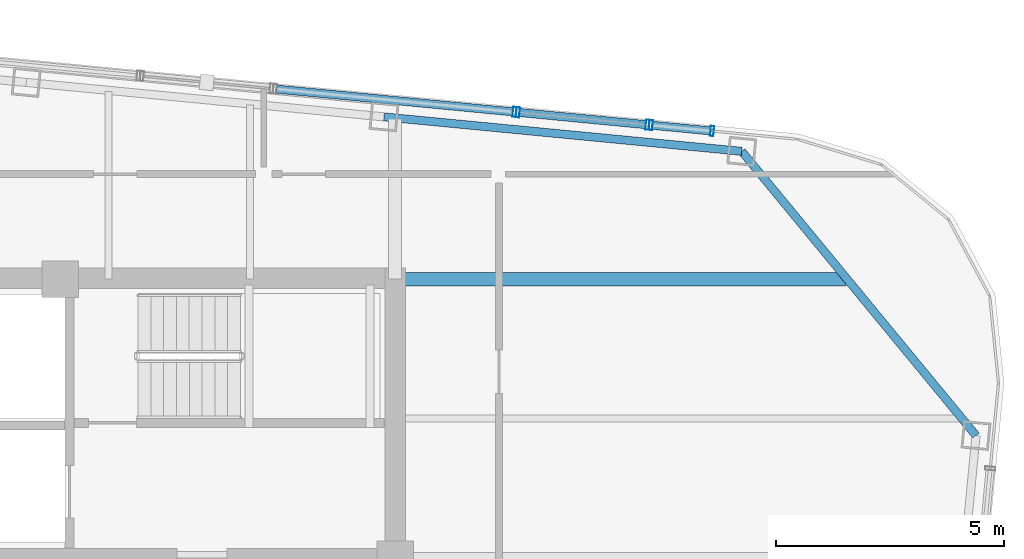
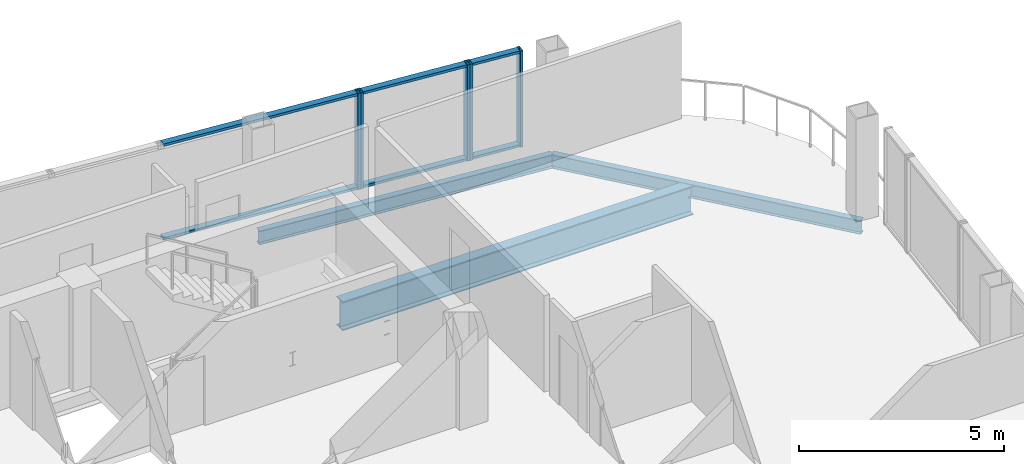
# One storey, part 15 of 23: 11 members, 3 beams, 3 elements without a shape of their own.
"""IFC4 building model written with IfcOpenShell, lengths in metres."""

from ifc_helpers import new_model, si_unit, direction, frame, origin, origin_2d, place, context, subcontext, project, spatial, hollow_rectangle, i_section, extrude, material, layer, layer_set, material_profile, profile_set, type_object, element, aggregate, save


model = new_model("IFC4")

# Units and contexts
model_context = context("Model", 3, precision=1e-05, world=origin(), true_north=direction((0.0, 1.0)))
body_context = subcontext(model_context, "Body", "Model", "MODEL_VIEW")
ifc_project = project(units=[si_unit("LENGTHUNIT", "METRE"), si_unit("AREAUNIT", "SQUARE_METRE"), si_unit("VOLUMEUNIT", "CUBIC_METRE"), si_unit("PLANEANGLEUNIT", "RADIAN"), si_unit("MASSUNIT", "GRAM", prefix="KILO")], contexts=[model_context])

# Site, building, storey
site_placement = place(None, origin())
site = spatial("IfcSite", under=ifc_project, at=site_placement, CompositionType="ELEMENT")
building_placement = place(site_placement, origin())
building = spatial("IfcBuilding", under=site, at=building_placement, Name="Qhalaya Broadcast Tower", CompositionType="ELEMENT")
storey_placement = place(building_placement, frame((0.0, 0.0, 261.14990234375)))
storey = spatial("IfcBuildingStorey", under=building, at=storey_placement, Name="L77", CompositionType="ELEMENT", Elevation=261.14990234375)

# Curtain wall, members
ifc_material_1 = material(Name="Fired Architectural Terracotta", Category="masonry")
ifc_layer_1 = layer(ifc_material_1, 0.219970703125, Name="Fired Architectural Terracotta")
ifc_layer_set_1 = layer_set([ifc_layer_1], Name="Fired Architectural Terracotta")
curtain_wall_type_1 = type_object("IfcCurtainWallType", Name="Block-Cap Unitised Terracotta Spandrel Wall CW-07", PredefinedType="NOTDEFINED", material=ifc_layer_set_1)
curtain_wall_1_placement = place(storey_placement, origin())
curtain_wall_1 = element("IfcCurtainWall", 1, at=curtain_wall_1_placement, inside=storey, type_object=curtain_wall_type_1, Name="L77 Unitised Curtain Wall L77-CW-N1", PredefinedType="NOTDEFINED")
ifc_material_2 = material(Name="Anodised Aluminium 6063-T6", Category="aluminium")
ifc_material_profile_1 = material_profile(ifc_material_2, hollow_rectangle(XDim=0.074951171875, YDim=0.219970703125, WallThickness=0.00390625, at=origin_2d()), Name="ALU-MUL 75x220x4")
ifc_profile_set_1 = profile_set([ifc_material_profile_1], Name="Anodised Aluminium 6063-T6")
member_type_1 = type_object("IfcMemberType", Name="Unitised Curtain-Wall Mullion M01", PredefinedType="MULLION", material=ifc_profile_set_1)
member_1_placement = place(storey_placement, frame((16.315185546875, 13.192626953125, 0.0), z_axis=(0.0, 0.0, 1.0), x_axis=(-0.995396007008, 0.095847739846, 0.0)))
member_1 = element("IfcMember", 2, at=member_1_placement, type_object=member_type_1, Name="CW-07 mullion 1", PredefinedType="MULLION", context=body_context, shape_type="SweptSolid", body=[
    extrude(hollow_rectangle(XDim=0.074951171875, YDim=0.219970703125, WallThickness=0.00390625, at=origin_2d()), origin(), (0.0, 0.0, 1.0), 2.860107421875),
])
member_2_placement = place(storey_placement, frame((14.97412109375, 13.32177734375, 0.0), z_axis=(0.0, 0.0, 1.0), x_axis=(-0.995396007008, 0.095847739846, 0.0)))
member_2 = element("IfcMember", 3, at=member_2_placement, type_object=member_type_1, Name="CW-07 mullion 2", PredefinedType="MULLION", context=body_context, shape_type="SweptSolid", body=[
    extrude(hollow_rectangle(XDim=0.074951171875, YDim=0.219970703125, WallThickness=0.00390625, at=origin_2d()), origin(), (0.0, 0.0, 1.0), 2.860107421875),
])

ifc_material_3 = material(Name="Solar-Control Low-E Triple Glazing", Category="glass")
ifc_layer_2 = layer(ifc_material_3, 0.219970703125, Name="Solar-Control Low-E Triple Glazing")
ifc_layer_set_2 = layer_set([ifc_layer_2], Name="Solar-Control Low-E Triple Glazing")
curtain_wall_type_2 = type_object("IfcCurtainWallType", Name="High-Altitude Upper-Shaft Triple Low-E Curtain Wall CW-04", PredefinedType="NOTDEFINED", material=ifc_layer_set_2)
curtain_wall_2_placement = place(storey_placement, origin())
curtain_wall_2 = element("IfcCurtainWall", 4, at=curtain_wall_2_placement, inside=storey, type_object=curtain_wall_type_2, Name="L77 Unitised Curtain Wall L77-CW-N2", PredefinedType="NOTDEFINED")
member_3_placement = place(storey_placement, frame((14.899658203125, 13.328857421875, 0.0), z_axis=(0.0, 0.0, 1.0), x_axis=(-0.99539466371, 0.095861689211, 0.0)))
member_3 = element("IfcMember", 5, at=member_3_placement, type_object=member_type_1, Name="CW-04 mullion 1", PredefinedType="MULLION", context=body_context, shape_type="SweptSolid", body=[
    extrude(hollow_rectangle(XDim=0.074951171875, YDim=0.219970703125, WallThickness=0.00390625, at=origin_2d()), origin(), (0.0, 0.0, 1.0), 2.860107421875),
])
member_4_placement = place(storey_placement, frame((12.064697265625, 13.601806640625, 0.0), z_axis=(0.0, 0.0, 1.0), x_axis=(-0.99539466371, 0.095861689211, 0.0)))
member_4 = element("IfcMember", 6, at=member_4_placement, type_object=member_type_1, Name="CW-04 mullion 2", PredefinedType="MULLION", context=body_context, shape_type="SweptSolid", body=[
    extrude(hollow_rectangle(XDim=0.074951171875, YDim=0.219970703125, WallThickness=0.00390625, at=origin_2d()), origin(), (0.0, 0.0, 1.0), 2.860107421875),
])

# Curtain wall, member
curtain_wall_3_placement = place(storey_placement, origin())
curtain_wall_3 = element("IfcCurtainWall", 7, at=curtain_wall_3_placement, inside=storey, type_object=curtain_wall_type_1, Name="L77 Unitised Curtain Wall L77-CW-N3", PredefinedType="NOTDEFINED")
member_5_placement = place(storey_placement, frame((11.989990234375, 13.609130859375, 0.0), z_axis=(0.0, 0.0, 1.0), x_axis=(-0.995396263968, 0.095845071223, 0.0)))
member_5 = element("IfcMember", 8, at=member_5_placement, type_object=member_type_1, Name="CW-07 mullion 1", PredefinedType="MULLION", context=body_context, shape_type="SweptSolid", body=[
    extrude(hollow_rectangle(XDim=0.074951171875, YDim=0.219970703125, WallThickness=0.00390625, at=origin_2d()), origin(), (0.0, 0.0, 1.0), 2.860107421875),
])

# Member
ifc_material_profile_2 = material_profile(ifc_material_2, hollow_rectangle(XDim=0.074951171875, YDim=0.179931640625, WallThickness=0.00390625, at=origin_2d()), Name="ALU-TRN 75x180x4")
ifc_profile_set_2 = profile_set([ifc_material_profile_2], Name="Anodised Aluminium 6063-T6")
member_type_2 = type_object("IfcMemberType", Name="Unitised Curtain-Wall Transom T01", PredefinedType="USERDEFINED", material=ifc_profile_set_2)
member_6_placement = place(storey_placement, frame((16.27783203125, 13.1962890625, 0.03759765625), z_axis=(-0.995404457155, 0.095759942957, 0.0), x_axis=(0.0, 0.0, 1.0)))
member_6 = element("IfcMember", 9, at=member_6_placement, type_object=member_type_2, Name="CW-07 transom 1.1", ObjectType="TRANSOM", PredefinedType="USERDEFINED", context=body_context, shape_type="SweptSolid", body=[
    extrude(hollow_rectangle(XDim=0.074951171875, YDim=0.179931640625, WallThickness=0.00390625, at=origin_2d()), origin(), (0.0, 0.0, 1.0), 1.272216796875),
])

member_7_placement = place(storey_placement, frame((16.27783203125, 13.1962890625, 2.822509765625), z_axis=(-0.995404457155, 0.095759942957, 0.0), x_axis=(0.0, 0.0, 1.0)))
member_7 = element("IfcMember", 10, at=member_7_placement, type_object=member_type_2, Name="CW-07 transom 1.2", ObjectType="TRANSOM", PredefinedType="USERDEFINED", context=body_context, shape_type="SweptSolid", body=[
    extrude(hollow_rectangle(XDim=0.074951171875, YDim=0.179931640625, WallThickness=0.00390625, at=origin_2d()), origin(), (0.0, 0.0, 1.0), 1.272216796875),
])

aggregate(curtain_wall_1, [member_1, member_2, member_6, member_7])

member_8_placement = place(storey_placement, frame((14.8623046875, 13.33251953125, 0.03759765625), z_axis=(-0.995393207476, 0.095876809034, 0.0), x_axis=(0.0, 0.0, 1.0)))
member_8 = element("IfcMember", 11, at=member_8_placement, type_object=member_type_2, Name="CW-04 transom 1.1", ObjectType="TRANSOM", PredefinedType="USERDEFINED", context=body_context, shape_type="SweptSolid", body=[
    extrude(hollow_rectangle(XDim=0.074951171875, YDim=0.179931640625, WallThickness=0.00390625, at=origin_2d()), origin(), (0.0, 0.0, 1.0), 2.77294921875),
])

member_9_placement = place(storey_placement, frame((14.8623046875, 13.33251953125, 2.822509765625), z_axis=(-0.995393207476, 0.095876809034, 0.0), x_axis=(0.0, 0.0, 1.0)))
member_9 = element("IfcMember", 12, at=member_9_placement, type_object=member_type_2, Name="CW-04 transom 1.2", ObjectType="TRANSOM", PredefinedType="USERDEFINED", context=body_context, shape_type="SweptSolid", body=[
    extrude(hollow_rectangle(XDim=0.074951171875, YDim=0.179931640625, WallThickness=0.00390625, at=origin_2d()), origin(), (0.0, 0.0, 1.0), 2.77294921875),
])

aggregate(curtain_wall_2, [member_3, member_4, member_8, member_9])

member_10_placement = place(storey_placement, frame((11.95263671875, 13.61279296875, 0.03759765625), z_axis=(-0.995399031506, 0.095816324684, 0.0), x_axis=(0.0, 0.0, 1.0)))
member_10 = element("IfcMember", 13, at=member_10_placement, type_object=member_type_2, Name="CW-07 transom 1.1", ObjectType="TRANSOM", PredefinedType="USERDEFINED", context=body_context, shape_type="SweptSolid", body=[
    extrude(hollow_rectangle(XDim=0.074951171875, YDim=0.179931640625, WallThickness=0.00390625, at=origin_2d()), origin(), (0.0, 0.0, 1.0), 5.19287109375),
])

member_11_placement = place(storey_placement, frame((11.95263671875, 13.61279296875, 2.822509765625), z_axis=(-0.995399031506, 0.095816324684, 0.0), x_axis=(0.0, 0.0, 1.0)))
member_11 = element("IfcMember", 14, at=member_11_placement, type_object=member_type_2, Name="CW-07 transom 1.2", ObjectType="TRANSOM", PredefinedType="USERDEFINED", context=body_context, shape_type="SweptSolid", body=[
    extrude(hollow_rectangle(XDim=0.074951171875, YDim=0.179931640625, WallThickness=0.00390625, at=origin_2d()), origin(), (0.0, 0.0, 1.0), 5.19287109375),
])

aggregate(curtain_wall_3, [member_5, member_10, member_11])

# Beams
ifc_material_4 = material(Name="Structural Steel ASTM A992 Grade 50", Category="steel")
ifc_material_profile_3 = material_profile(ifc_material_4, i_section(OverallWidth=0.2919921875, OverallDepth=0.85888671875, WebThickness=0.01708984375, FlangeThickness=0.031005859375, at=origin_2d()), Name="W33X169")
ifc_profile_set_3 = profile_set([ifc_material_profile_3], Name="Structural Steel ASTM A992 Grade 50")
beam_type_1 = type_object("IfcBeamType", Name="Upper Block Primary Girder PG4", PredefinedType="USERDEFINED", material=ifc_profile_set_3)
beam_1_placement = place(storey_placement, frame((9.375, 9.949951171875, -0.619384765625), z_axis=(1.0, 0.0, 0.0), x_axis=(0.0, 1.0, 0.0)))
element("IfcBeam", 15, at=beam_1_placement, inside=storey, type_object=beam_type_1, Name="L77 PG4 L77-PGYE4-1", ObjectType="GIRDER", PredefinedType="USERDEFINED", context=body_context, shape_type="SweptSolid", body=[
    extrude(i_section(OverallWidth=0.2919921875, OverallDepth=0.85888671875, WebThickness=0.01708984375, FlangeThickness=0.031005859375, at=origin_2d()), origin(), (0.0, 0.0, 1.0), 9.868896484375),
])
ifc_material_profile_4 = material_profile(ifc_material_4, i_section(OverallWidth=0.177978515625, OverallDepth=0.406005859375, WebThickness=0.0078125, FlangeThickness=0.0126953125, at=origin_2d()), Name="W16X40")
ifc_profile_set_4 = profile_set([ifc_material_profile_4], Name="Structural Steel ASTM A992 Grade 50")
beam_type_2 = type_object("IfcBeamType", Name="Upper Perimeter Spandrel Beam SP2", PredefinedType="SPANDREL", material=ifc_profile_set_4)
beam_2_placement = place(storey_placement, frame((22.09033203125, 6.5283203125, -0.392822265625), z_axis=(-0.636070241972, 0.771631160126, 0.0), x_axis=(-0.771631160126, -0.636070241972, 0.0)))
element("IfcBeam", 16, at=beam_2_placement, inside=storey, type_object=beam_type_2, Name="L77 SP2 L77-SPR-08", PredefinedType="SPANDREL", context=body_context, shape_type="SweptSolid", body=[
    extrude(i_section(OverallWidth=0.177978515625, OverallDepth=0.406005859375, WebThickness=0.0078125, FlangeThickness=0.0126953125, at=origin_2d()), origin(), (0.0, 0.0, 1.0), 8.06103515625),
])
beam_3_placement = place(storey_placement, frame((16.962890625, 12.74853515625, -0.392822265625), z_axis=(-0.995397023367, 0.095837184179, 0.0), x_axis=(-0.095837184179, -0.995397023367, 0.0)))
element("IfcBeam", 17, at=beam_3_placement, inside=storey, type_object=beam_type_2, Name="L77 SP2 L77-SPR-09", PredefinedType="SPANDREL", context=body_context, shape_type="SweptSolid", body=[
    extrude(i_section(OverallWidth=0.177978515625, OverallDepth=0.406005859375, WebThickness=0.0078125, FlangeThickness=0.0126953125, at=origin_2d()), origin(), (0.0, 0.0, 1.0), 7.866455078125),
])

save(model, "model.ifc")
